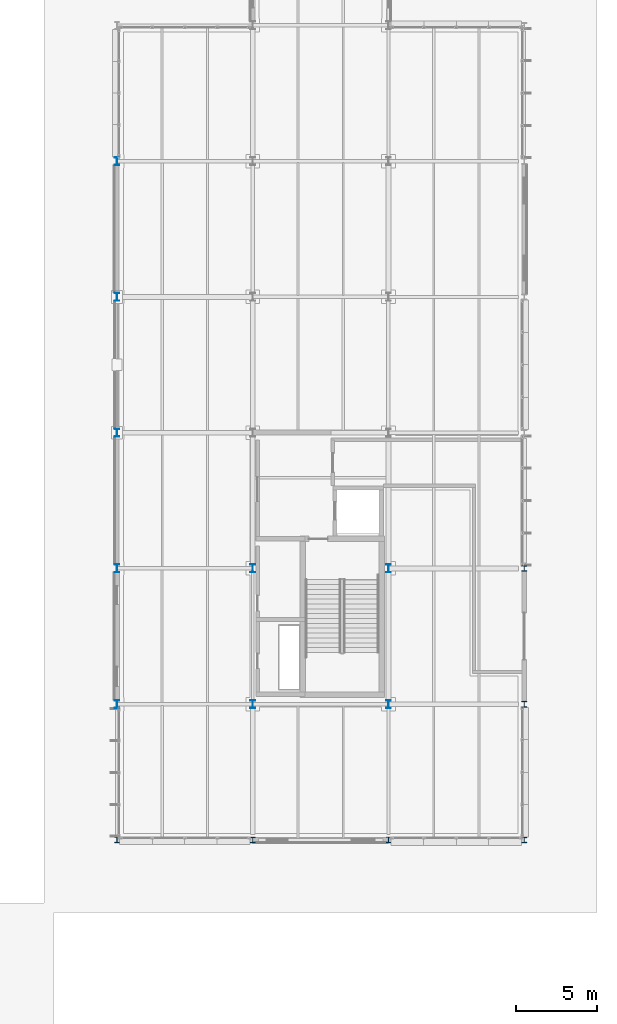
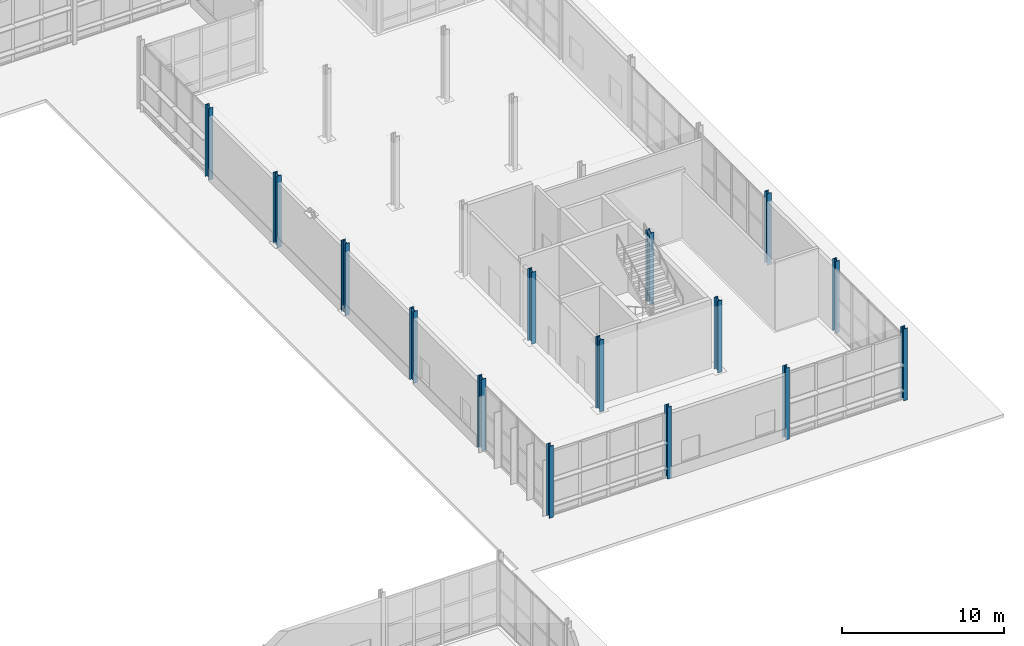
# One storey, part 15 of 124: 15 columns.
"""IFC4 building model written with IfcOpenShell, lengths in metres."""

from ifc_helpers import new_model, si_unit, direction, frame, origin, origin_2d, place, context, subcontext, project, spatial, i_section, extrude, material, material_profile, profile_set, type_object, element, save


model = new_model("IFC4")

# Units and contexts
model_context = context("Model", 3, precision=1e-05, world=origin(), true_north=direction((0.0, 1.0)))
body_context = subcontext(model_context, "Body", "Model", "MODEL_VIEW")
ifc_project = project(units=[si_unit("LENGTHUNIT", "METRE"), si_unit("AREAUNIT", "SQUARE_METRE"), si_unit("VOLUMEUNIT", "CUBIC_METRE"), si_unit("PLANEANGLEUNIT", "RADIAN"), si_unit("MASSUNIT", "GRAM", prefix="KILO")], contexts=[model_context])

# Site, building, storey
site_placement = place(None, origin())
site = spatial("IfcSite", under=ifc_project, at=site_placement, CompositionType="ELEMENT")
building_placement = place(site_placement, origin())
building = spatial("IfcBuilding", under=site, at=building_placement, Name="Mersafa Astral City Hall", CompositionType="ELEMENT")
storey_placement = place(building_placement, origin())
storey = spatial("IfcBuildingStorey", under=building, at=storey_placement, Name="L00", CompositionType="ELEMENT", Elevation=0.0)

# Columns
ifc_material = material(Name="Steel S355", Category="steel")
ifc_material_profile_1 = material_profile(ifc_material, i_section(OverallWidth=0.300048828125, OverallDepth=0.340087890625, WebThickness=0.011962890625, FlangeThickness=0.021484375, FilletRadius=0.027099609375, at=origin_2d()), Name="HEB 340")
ifc_profile_set_1 = profile_set([ifc_material_profile_1], Name="Steel S355")
column_type_1 = type_object("IfcColumnType", Name="STR-COL-HEB340", PredefinedType="COLUMN", material=ifc_profile_set_1)
for number, where, z_axis, x_axis, name in (
    (1, (168.0, 42.0, 0.0), (0.0, 0.0, 1.0), (1.0, 0.0, 0.0), "L00 Structural column G-20-05"),
    (2, (184.800048828125, 42.0, 0.0), (0.0, 0.0, 1.0), (1.0, 0.0, 0.0), "L00 Structural column G-22-05"),
    (3, (184.800048828125, 58.800048828125, 0.0), (0.0, 0.0, 1.0), (1.0, 0.0, 0.0), "L00 Structural column G-22-07"),
):
    element("IfcColumn", number, at=place(storey_placement, frame(where, z_axis=z_axis, x_axis=x_axis)), inside=storey, type_object=column_type_1, Name=name, PredefinedType="COLUMN", context=body_context, shape_type="SweptSolid", body=[
        extrude(i_section(OverallWidth=0.300048828125, OverallDepth=0.340087890625, WebThickness=0.011962890625, FlangeThickness=0.021484375, FilletRadius=0.027099609375, at=origin_2d()), origin(), (0.0, 0.0, 1.0), 5.39990234375),
    ])
ifc_material_profile_2 = material_profile(ifc_material, i_section(OverallWidth=0.300048828125, OverallDepth=0.360107421875, WebThickness=0.012451171875, FlangeThickness=0.0224609375, FilletRadius=0.027099609375, at=origin_2d()), Name="HEB 360")
ifc_profile_set_2 = profile_set([ifc_material_profile_2], Name="Steel S355")
column_type_2 = type_object("IfcColumnType", Name="STR-COL-HEB360", PredefinedType="COLUMN", material=ifc_profile_set_2)
for number, where, z_axis, x_axis, name in (
    (4, (159.60009765625, 42.0, 0.0), (0.0, 0.0, 1.0), (1.0, 0.0, 0.0), "L00 Structural column G-19-05"),
    (5, (176.39990234375, 42.0, 0.0), (0.0, 0.0, 1.0), (1.0, 0.0, 0.0), "L00 Structural column G-21-05"),
    (6, (184.800048828125, 50.39990234375, 0.0), (0.0, 0.0, 1.0), (1.0, 0.0, 0.0), "L00 Structural column G-22-06"),
):
    element("IfcColumn", number, at=place(storey_placement, frame(where, z_axis=z_axis, x_axis=x_axis)), inside=storey, type_object=column_type_2, Name=name, PredefinedType="COLUMN", context=body_context, shape_type="SweptSolid", body=[
        extrude(i_section(OverallWidth=0.300048828125, OverallDepth=0.360107421875, WebThickness=0.012451171875, FlangeThickness=0.0224609375, FilletRadius=0.027099609375, at=origin_2d()), origin(), (0.0, 0.0, 1.0), 5.39990234375),
    ])
ifc_material_profile_3 = material_profile(ifc_material, i_section(OverallWidth=0.300048828125, OverallDepth=0.5, WebThickness=0.014404296875, FlangeThickness=0.028076171875, FilletRadius=0.027099609375, at=origin_2d()), Name="HEB 500")
ifc_profile_set_3 = profile_set([ifc_material_profile_3], Name="Steel S355")
column_type_3 = type_object("IfcColumnType", Name="STR-COL-HEB500", PredefinedType="COLUMN", material=ifc_profile_set_3)
for number, where, z_axis, x_axis, name in (
    (7, (159.60009765625, 50.39990234375, 0.0), (0.0, 0.0, 1.0), (1.0, 0.0, 0.0), "L00 Structural column G-19-06"),
    (8, (159.60009765625, 58.800048828125, 0.0), (0.0, 0.0, 1.0), (1.0, 0.0, 0.0), "L00 Structural column G-19-07"),
    (9, (159.60009765625, 67.199951171875, 0.0), (0.0, 0.0, 1.0), (1.0, 0.0, 0.0), "L00 Structural column G-19-08"),
    (10, (159.60009765625, 75.60009765625, 0.0), (0.0, 0.0, 1.0), (1.0, 0.0, 0.0), "L00 Structural column G-19-09"),
    (11, (159.60009765625, 84.0, 0.0), (0.0, 0.0, 1.0), (1.0, 0.0, 0.0), "L00 Structural column G-19-10"),
    (12, (168.0, 50.39990234375, 0.0), (0.0, 0.0, 1.0), (1.0, 0.0, 0.0), "L00 Structural column G-20-06"),
    (13, (168.0, 58.800048828125, 0.0), (0.0, 0.0, 1.0), (1.0, 0.0, 0.0), "L00 Structural column G-20-07"),
    (14, (176.39990234375, 50.39990234375, 0.0), (0.0, 0.0, 1.0), (1.0, 0.0, 0.0), "L00 Structural column G-21-06"),
    (15, (176.39990234375, 58.800048828125, 0.0), (0.0, 0.0, 1.0), (1.0, 0.0, 0.0), "L00 Structural column G-21-07"),
):
    element("IfcColumn", number, at=place(storey_placement, frame(where, z_axis=z_axis, x_axis=x_axis)), inside=storey, type_object=column_type_3, Name=name, PredefinedType="COLUMN", context=body_context, shape_type="SweptSolid", body=[
        extrude(i_section(OverallWidth=0.300048828125, OverallDepth=0.5, WebThickness=0.014404296875, FlangeThickness=0.028076171875, FilletRadius=0.027099609375, at=origin_2d()), origin(), (0.0, 0.0, 1.0), 5.39990234375),
    ])

save(model, "model.ifc")
